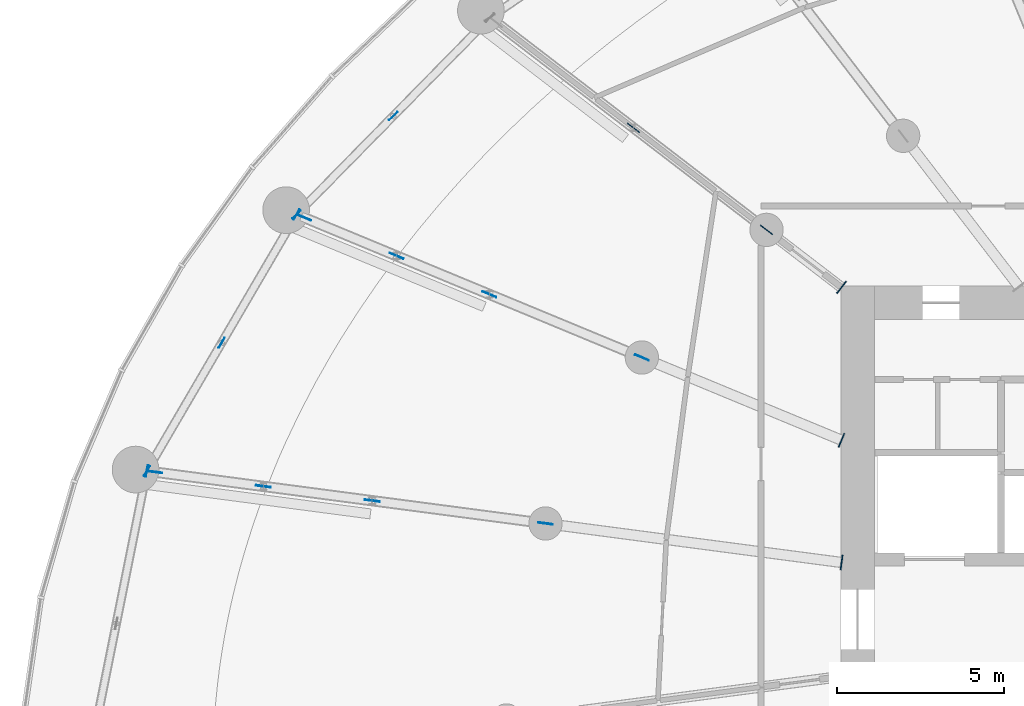
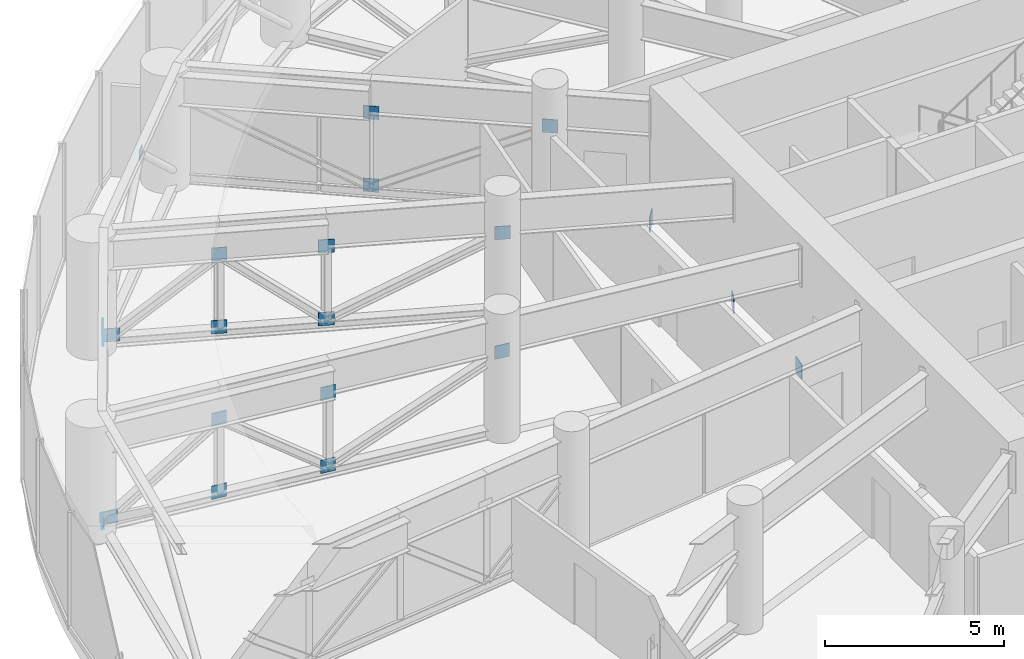
# One storey, part 33 of 42: 24 discrete accessories.
"""IFC4 building model written with IfcOpenShell, lengths in metres."""

import ifcopenshell
import ifcopenshell.guid

model = None  # the IFC model being written
_history = None  # IfcOwnerHistory: only IFC2X3 demands one
_inside = {}  # id of a spatial element -> (the spatial element, [elements in it])
_under = {}  # id of a project, library or spatial element -> (it, [spatial elements below it])
_declared = {}  # id of a project -> (the project, [libraries it declares])
_typed = {}  # id of a type object -> (the type object, [elements of that type])
_made_of = {}  # id of a material, layer set ... -> (it, [elements and type objects made of it])


def new_model(schema):
    """Start an empty IFC model of exactly this schema.

    Asked for "IFC4X3", IfcOpenShell would pick the latest addendum, in which some entities
    have other attributes; the version numbers below select the first issue.
    IFC2X3 requires an IfcOwnerHistory on every rooted entity: one is made here for all.
    """
    global model, _history
    if schema == "IFC4X3":
        model = ifcopenshell.file(schema_version=(4, 3, 0, 0))
    else:
        model = ifcopenshell.file(schema=schema)
    _inside.clear()
    _under.clear()
    _declared.clear()
    _typed.clear()
    _made_of.clear()
    _history = None
    if model.schema == "IFC2X3":
        org = make("IfcOrganization", Name="unknown")
        user = make(
            "IfcPersonAndOrganization",
            ThePerson=make("IfcPerson", FamilyName="unknown"),
            TheOrganization=org,
        )
        app = make(
            "IfcApplication",
            ApplicationDeveloper=org,
            Version="unknown",
            ApplicationFullName="unknown",
            ApplicationIdentifier="unknown",
        )
        _history = make(
            "IfcOwnerHistory",
            OwningUser=user,
            OwningApplication=app,
            ChangeAction="ADDED",
            CreationDate=0,
        )
    return model


def make(cls, **values):
    """One entity of the class cls with the attributes given. An attribute that is None is left unset."""
    return model.create_entity(
        cls, **{name: value for name, value in values.items() if value is not None}
    )


def rooted(cls, **values):
    """An entity with a GlobalId (a new one), such as an element, a storey or a relation."""
    return make(cls, GlobalId=ifcopenshell.guid.new(), OwnerHistory=_history, **values)


def si_unit(unit_type, name, prefix=None):
    """IfcSIUnit, for example si_unit("LENGTHUNIT", "METRE", prefix="MILLI")."""
    return make("IfcSIUnit", UnitType=unit_type, Prefix=prefix, Name=name)


def assignment(units):
    """IfcUnitAssignment: the units of a project."""
    return None if units is None else make("IfcUnitAssignment", Units=units)


def point(xyz):
    """IfcCartesianPoint."""
    return None if xyz is None else make("IfcCartesianPoint", Coordinates=xyz)


def direction(xyz):
    """IfcDirection."""
    return None if xyz is None else make("IfcDirection", DirectionRatios=xyz)


def frame(location, z_axis=None, x_axis=None):
    """IfcAxis2Placement3D, a coordinate frame: its origin and axes. An axis left out is left unset."""
    return make(
        "IfcAxis2Placement3D",
        Location=point(location),
        Axis=direction(z_axis),
        RefDirection=direction(x_axis),
    )


def frame_2d(location, x_axis=None):
    """IfcAxis2Placement2D, a coordinate frame in the plane: its origin and x axis."""
    return make(
        "IfcAxis2Placement2D", Location=point(location), RefDirection=direction(x_axis)
    )


def origin():
    """The frame at (0, 0, 0) with its axes left unset."""
    return frame((0.0, 0.0, 0.0))


def origin_2d():
    """The frame at (0, 0) in the plane with its x axis left unset."""
    return frame_2d((0.0, 0.0))


def place(relative_to, where):
    """IfcLocalPlacement: puts the frame where relative to a parent placement (None: the world)."""
    return make(
        "IfcLocalPlacement", PlacementRelTo=relative_to, RelativePlacement=where
    )


def context(
    kind, dimensions, precision=None, world=None, true_north=None, identifier=None
):
    """IfcGeometricRepresentationContext, for example the 3D "Model" context."""
    return make(
        "IfcGeometricRepresentationContext",
        ContextIdentifier=identifier,
        ContextType=kind,
        CoordinateSpaceDimension=dimensions,
        Precision=precision,
        WorldCoordinateSystem=world,
        TrueNorth=true_north,
    )


def subcontext(parent, identifier, kind, view, scale=None):
    """IfcGeometricRepresentationSubContext, for example "Body" below "Model"."""
    return make(
        "IfcGeometricRepresentationSubContext",
        ContextIdentifier=identifier,
        ContextType=kind,
        ParentContext=parent,
        TargetScale=scale,
        TargetView=view,
    )


def project(units=None, contexts=None):
    """IfcProject with its units and contexts."""
    return rooted(
        "IfcProject",
        Name="project",
        RepresentationContexts=contexts,
        UnitsInContext=assignment(units),
    )


def spatial(cls, under=None, at=None, **own):
    """A site, building, storey or space (cls), placed at a placement, below another one or the project."""
    s = rooted(cls, ObjectPlacement=at, **own)
    if under is not None:
        _under.setdefault(under.id(), (under, []))[1].append(s)
    return s


def profile(cls, at=None, kind="AREA", **sizes):
    """A parametric profile (cls). Its sizes go by their IFC names, for example OverallWidth=200.0."""
    return make(cls, ProfileType=kind, Position=at, **sizes)


def rectangle(**sizes):
    """IfcRectangleProfileDef."""
    return profile("IfcRectangleProfileDef", **sizes)


def extrude(swept, where, along, depth):
    """IfcExtrudedAreaSolid: the profile swept, set in the frame where, extruded along a direction by depth."""
    return make(
        "IfcExtrudedAreaSolid",
        SweptArea=swept,
        Position=where,
        ExtrudedDirection=direction(along),
        Depth=depth,
    )


def shape(context_of_items, identifier, shape_type, items):
    """IfcShapeRepresentation: the items that make up one representation, for example the "Body"."""
    return make(
        "IfcShapeRepresentation",
        ContextOfItems=context_of_items,
        RepresentationIdentifier=identifier,
        RepresentationType=shape_type,
        Items=items,
    )


def source(mapping_origin, context_of_items, identifier, shape_type, items):
    """IfcRepresentationMap: a shape defined once, which mapped items show again and again."""
    return make(
        "IfcRepresentationMap",
        MappingOrigin=mapping_origin,
        MappedRepresentation=shape(context_of_items, identifier, shape_type, items),
    )


def transform(
    local_origin,
    x_axis=None,
    y_axis=None,
    z_axis=None,
    scale=None,
    scale2=None,
    scale3=None,
    uniform=True,
):
    """IfcCartesianTransformationOperator3D, or its non-uniform kind. x_axis, y_axis, z_axis: its Axis1, 2, 3."""
    if uniform:
        return make(
            "IfcCartesianTransformationOperator3D",
            Axis1=direction(x_axis),
            Axis2=direction(y_axis),
            LocalOrigin=point(local_origin),
            Scale=scale,
            Axis3=direction(z_axis),
        )
    return make(
        "IfcCartesianTransformationOperator3DnonUniform",
        Axis1=direction(x_axis),
        Axis2=direction(y_axis),
        LocalOrigin=point(local_origin),
        Scale=scale,
        Axis3=direction(z_axis),
        Scale2=scale2,
        Scale3=scale3,
    )


def mapped(mapping_source, mapping_target):
    """IfcMappedItem: shows the shape of a source again, moved by a transform."""
    return make(
        "IfcMappedItem", MappingSource=mapping_source, MappingTarget=mapping_target
    )


def material(Name=None, Category=None):
    """IfcMaterial."""
    return make("IfcMaterial", Name=Name, Category=Category)


def layer(
    of_material, thickness, ventilated=None, Name=None, Category=None, Priority=None
):
    """IfcMaterialLayer: one layer of a wall or slab, of a material (None: an air gap)."""
    return make(
        "IfcMaterialLayer",
        Material=of_material,
        LayerThickness=thickness,
        IsVentilated=ventilated,
        Name=Name,
        Category=Category,
        Priority=Priority,
    )


def layer_set(layers, Name=None):
    """IfcMaterialLayerSet."""
    return make("IfcMaterialLayerSet", MaterialLayers=layers, LayerSetName=Name)


def made_of(thing, what):
    """Note that an element or type object is made of a material, layer set ...; save() writes the relation."""
    if what is not None:
        _made_of.setdefault(what.id(), (what, []))[1].append(thing)
    return thing


def type_object(cls, material=None, **own):
    """A type object (cls), such as IfcWallType, which elements share."""
    return made_of(rooted(cls, **own), material)


def element(
    cls,
    number,
    at=None,
    inside=None,
    cuts=None,
    type_object=None,
    material=None,
    context=None,
    identifier="Body",
    shape_type=None,
    held_by="IfcProductDefinitionShape",
    body=None,
    shapes=None,
    **own,
):
    """One element of the class cls, such as IfcWall. Its Tag is "e" and its number.

    at: its placement. inside: the storey or other place that contains it. cuts: it is an
    opening in that element (IfcRelVoidsElement). A single representation is given by context,
    identifier, shape_type and body (its items); several are given by shapes. held_by: the class
    of the entity that holds the representations. save() writes the other relations.
    """
    e = rooted(cls, Tag="e%d" % number, ObjectPlacement=at, **own)
    if body is not None:
        shapes = [shape(context, identifier, shape_type, body)]
    if shapes is not None:
        e.Representation = make(held_by, Representations=shapes)
    if inside is not None:
        _inside.setdefault(inside.id(), (inside, []))[1].append(e)
    if cuts is not None:
        rooted(
            "IfcRelVoidsElement", RelatingBuildingElement=cuts, RelatedOpeningElement=e
        )
    if type_object is not None:
        _typed.setdefault(type_object.id(), (type_object, []))[1].append(e)
    return made_of(e, material)


def aggregate(whole, parts):
    """IfcRelAggregates: a whole, such as a stair, and the parts it consists of."""
    return rooted("IfcRelAggregates", RelatingObject=whole, RelatedObjects=parts)


def save(model, path):
    """Write the relations noted so far, then the file.

    IfcRelAggregates (storeys below a building ...), IfcRelContainedInSpatialStructure (elements
    in a storey), IfcRelDefinesByType, IfcRelAssociatesMaterial and IfcRelDeclares: one each for
    every whole, place, type object, material and project.
    """
    for whole, parts in _under.values():
        aggregate(whole, parts)
    for where, things in _inside.values():
        rooted(
            "IfcRelContainedInSpatialStructure",
            RelatedElements=things,
            RelatingStructure=where,
        )
    for kind, things in _typed.values():
        rooted("IfcRelDefinesByType", RelatedObjects=things, RelatingType=kind)
    for what, things in _made_of.values():
        rooted("IfcRelAssociatesMaterial", RelatedObjects=things, RelatingMaterial=what)
    for by, libraries in _declared.values():
        rooted("IfcRelDeclares", RelatingContext=by, RelatedDefinitions=libraries)
    model.write(path)


model = new_model("IFC4")

# Units and contexts
model_context = context("Model", 3, precision=1e-05, world=origin(), true_north=direction((0.0, 1.0)))
body_context = subcontext(model_context, "Body", "Model", "MODEL_VIEW")
ifc_project = project(units=[si_unit("LENGTHUNIT", "METRE"), si_unit("AREAUNIT", "SQUARE_METRE"), si_unit("VOLUMEUNIT", "CUBIC_METRE"), si_unit("PLANEANGLEUNIT", "RADIAN"), si_unit("MASSUNIT", "GRAM", prefix="KILO")], contexts=[model_context])

# Site, building, storey
site_placement = place(None, origin())
site = spatial("IfcSite", under=ifc_project, at=site_placement, CompositionType="ELEMENT")
building_placement = place(site_placement, origin())
building = spatial("IfcBuilding", under=site, at=building_placement, Name="Spindrift Exchange Tower", CompositionType="ELEMENT")
storey_placement = place(building_placement, frame((0.0, 0.0, 75.39990234375)))
storey = spatial("IfcBuildingStorey", under=building, at=storey_placement, Name="L17", CompositionType="ELEMENT", Elevation=75.39990234375)

# Discrete accessories
ifc_material = material(Name="Steel Grade 350", Category="steel")
ifc_layer_1 = layer(ifc_material, 0.031982421875)
ifc_layer_set_1 = layer_set([ifc_layer_1], Name="Cast-in plate 450x500x32 Steel Grade 350")
discrete_accessory_type_1 = type_object("IfcDiscreteAccessoryType", Name="Cast-in plate 450x500x32 Steel Grade 350", PredefinedType="USERDEFINED", material=ifc_layer_set_1)
shared_shape_1 = source(origin(), body_context, "Body", "SweptSolid", [
    extrude(rectangle(XDim=0.031982421875, YDim=0.449951171875, at=origin_2d()), origin(), (0.0, 0.0, 1.0), 0.5),
])
for number, where, z_axis, x_axis, name in (
    (1, (39.015869140625, 57.963134765625, -0.413330078125), (0.0, 0.0, 1.0), (-0.793353340291, 0.608761429009, 0.0), "L17 cast-in plate CP2 10"),
    (2, (39.0185546875, 53.377197265625, -0.413330078125), (0.0, 0.0, 1.0), (-0.923879532511, 0.382683432365, 0.0), "L17 cast-in plate CP2 11"),
    (3, (39.019775390625, 49.708984375, -0.413330078125), (0.0, 0.0, 1.0), (-0.991444861374, 0.13052619222, 0.0), "L17 cast-in plate CP2 12"),
):
    element("IfcDiscreteAccessory", number, at=place(storey_placement, frame(where, z_axis=z_axis, x_axis=x_axis)), inside=storey, type_object=discrete_accessory_type_1, Name=name, ObjectType="Cast-in plate", PredefinedType="USERDEFINED", context=body_context, shape_type="MappedRepresentation", body=[
        mapped(shared_shape_1, transform((0.0, 0.0, 0.0), scale=1.0)),
    ])
ifc_layer_2 = layer(ifc_material, 0.02490234375)
ifc_layer_set_2 = layer_set([ifc_layer_2], Name="Gusset plate 450x450x25 Steel Grade 350")
discrete_accessory_type_2 = type_object("IfcDiscreteAccessoryType", Name="Gusset plate 450x450x25 Steel Grade 350", PredefinedType="USERDEFINED", material=ifc_layer_set_2)
shared_shape_2 = source(origin(), body_context, "Body", "SweptSolid", [
    extrude(rectangle(XDim=0.449951171875, YDim=0.02490234375, at=origin_2d()), origin(), (0.0, 0.0, 1.0), 0.449951171875),
])
for number, where, z_axis, x_axis, name in (
    (4, (36.767578125, 59.688232421875, 2.5751953125), (0.0, 0.0, 1.0), (-0.793348027815, 0.6087683523, 0.0), "L17 gusset plate GP1 10"),
    (5, (32.7802734375, 62.747802734375, 0.10205078125), (0.0, 0.0, 1.0), (-0.793348027815, 0.6087683523, 0.0), "L17 gusset plate GP1 10"),
    (6, (32.7802734375, 62.747802734375, 2.5751953125), (0.0, 0.0, 1.0), (-0.793353340291, 0.608761429009, 0.0), "L17 gusset plate GP1 10"),
    (7, (33.027587890625, 55.858642578125, 2.5751953125), (0.0, 0.0, 1.0), (-0.923882872019, 0.382675369981, 0.0), "L17 gusset plate GP1 11"),
    (8, (28.4521484375, 57.75390625, 0.10205078125), (0.0, 0.0, 1.0), (-0.923882872019, 0.382675369981, 0.0), "L17 gusset plate GP1 11"),
    (9, (25.671875, 58.905517578125, 2.5751953125), (0.0, 0.0, 1.0), (-0.923876860854, 0.382689882252, 0.0), "L17 gusset plate GP1 11"),
    (10, (22.891357421875, 60.05712890625, 0.10205078125), (0.0, 0.0, 1.0), (-0.923882204123, 0.38267698246, 0.0), "L17 gusset plate GP1 11"),
    (11, (28.4521484375, 57.75390625, 2.5751953125), (0.0, 0.0, 1.0), (-0.923879532511, 0.382683432365, 0.0), "L17 gusset plate GP1 11"),
    (12, (25.671875, 58.905517578125, 0.10205078125), (0.0, 0.0, 1.0), (-0.923879532511, 0.382683432365, 0.0), "L17 gusset plate GP1 11"),
    (13, (30.13671875, 50.87841796875, 2.5751953125), (0.0, 0.0, 1.0), (-0.991443950105, 0.130533113808, 0.0), "L17 gusset plate GP1 12"),
    (14, (24.935546875, 51.56298828125, 0.10205078125), (0.0, 0.0, 1.0), (-0.991443950105, 0.130533113808, 0.0), "L17 gusset plate GP1 12"),
    (15, (21.6748046875, 51.992431640625, 2.5751953125), (0.0, 0.0, 1.0), (-0.991444633561, 0.130527922618, 0.0), "L17 gusset plate GP1 12"),
    (16, (18.413818359375, 52.421630859375, 0.10205078125), (0.0, 0.0, 1.0), (-0.991445089183, 0.130524461822, 0.0), "L17 gusset plate GP1 12"),
    (17, (24.935546875, 51.56298828125, 2.5751953125), (0.0, 0.0, 1.0), (-0.991444861374, 0.13052619222, 0.0), "L17 gusset plate GP1 12"),
    (18, (21.6748046875, 51.992431640625, 0.10205078125), (0.0, 0.0, 1.0), (-0.991444861374, 0.13052619222, 0.0), "L17 gusset plate GP1 12"),
):
    element("IfcDiscreteAccessory", number, at=place(storey_placement, frame(where, z_axis=z_axis, x_axis=x_axis)), inside=storey, type_object=discrete_accessory_type_2, Name=name, ObjectType="Gusset plate", PredefinedType="USERDEFINED", context=body_context, shape_type="MappedRepresentation", body=[
        mapped(shared_shape_2, transform((0.0, 0.0, 0.0), scale=1.0)),
    ])
ifc_layer_3 = layer(ifc_material, 0.02001953125)
ifc_layer_set_3 = layer_set([ifc_layer_3], Name="Gusset plate 350x350x20 Steel Grade 350")
discrete_accessory_type_3 = type_object("IfcDiscreteAccessoryType", Name="Gusset plate 350x350x20 Steel Grade 350", PredefinedType="USERDEFINED", material=ifc_layer_set_3)
shared_shape_3 = source(origin(), body_context, "Body", "SweptSolid", [
    extrude(rectangle(XDim=0.35009765625, YDim=0.02001953125, at=origin_2d()), origin(), (0.0, 0.0, 1.0), 0.35009765625),
])
for number, where, z_axis, x_axis, name in (
    (19, (25.5693359375, 63.1025390625, 3.56494140625), (0.0, 0.0, 1.0), (-0.700601719532, -0.713552542276, 0.0), "L17 gusset plate GP2 10"),
    (20, (22.669677734375, 60.149169921875, 0.0849609375), (0.0, 0.0, 1.0), (-0.700601719532, -0.713552542276, 0.0), "L17 gusset plate GP2 10"),
    (21, (22.669677734375, 60.149169921875, 0.0849609375), (0.0, 0.0, 1.0), (-0.504227718397, -0.863570731324, 0.0), "L17 gusset plate GP2 11"),
    (22, (20.4228515625, 56.301025390625, 3.56494140625), (0.0, 0.0, 1.0), (-0.504227718397, -0.863570731324, 0.0), "L17 gusset plate GP2 11"),
    (23, (18.17578125, 52.452880859375, 0.0849609375), (0.0, 0.0, 1.0), (-0.504235254455, -0.863566331074, 0.0), "L17 gusset plate GP2 11"),
    (24, (18.17578125, 52.452880859375, 0.0849609375), (0.0, 0.0, 1.0), (-0.196100176415, -0.980583867301, 0.0), "L17 gusset plate GP2 12"),
):
    element("IfcDiscreteAccessory", number, at=place(storey_placement, frame(where, z_axis=z_axis, x_axis=x_axis)), inside=storey, type_object=discrete_accessory_type_3, Name=name, ObjectType="Gusset plate", PredefinedType="USERDEFINED", context=body_context, shape_type="MappedRepresentation", body=[
        mapped(shared_shape_3, transform((0.0, 0.0, 0.0), scale=1.0)),
    ])

save(model, "model.ifc")
